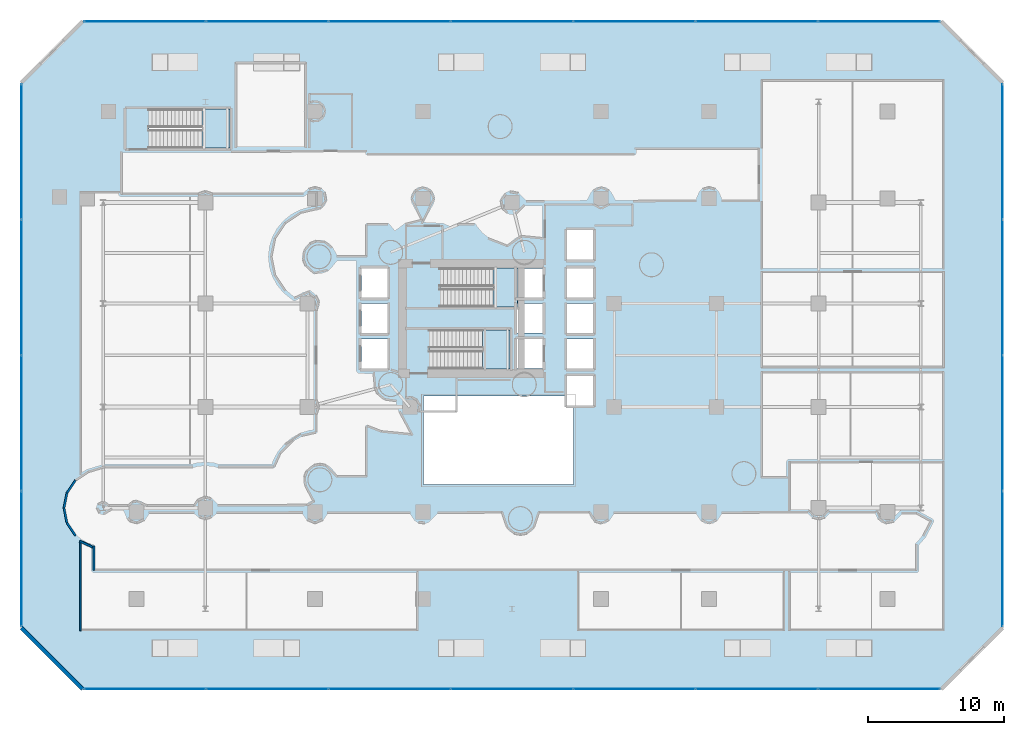
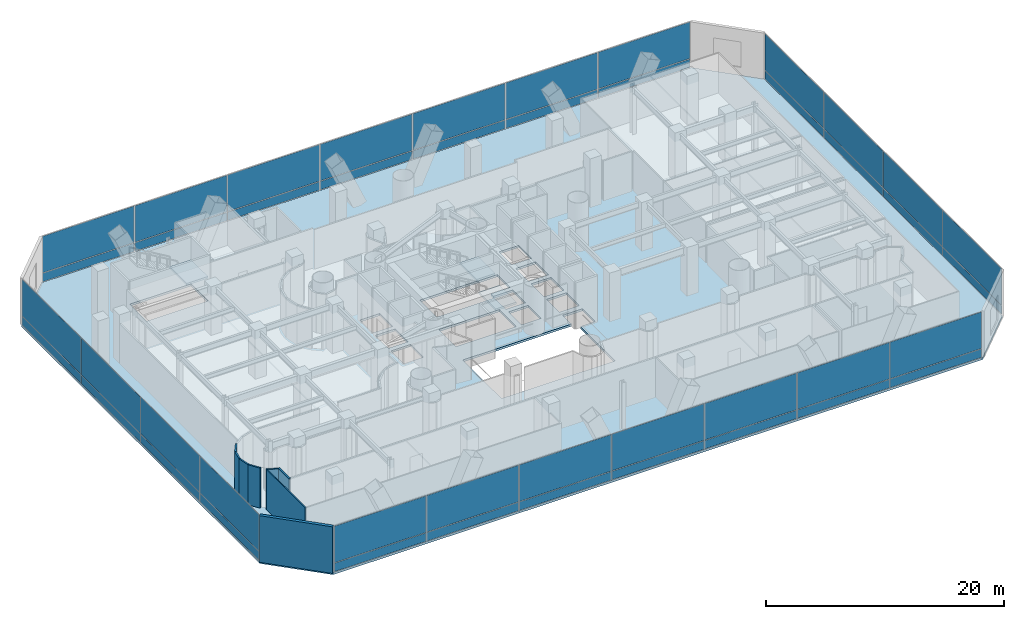
# One storey, part 30 of 42: 44 plates, 8 walls, 4 slabs, 7 elements without a shape of their own.
"""IFC4 building model written with IfcOpenShell, lengths in metres."""

from ifc_helpers import new_model, si_unit, direction, frame, frame_2d, origin, origin_2d, place, context, subcontext, project, spatial, polyline, rectangle, outline, extrude, material, layer, layer_set, type_object, element, aggregate, save


model = new_model("IFC4")

# Units and contexts
model_context = context("Model", 3, precision=1e-05, world=origin(), true_north=direction((0.0, 1.0)))
body_context = subcontext(model_context, "Body", "Model", "MODEL_VIEW")
ifc_project = project(units=[si_unit("LENGTHUNIT", "METRE"), si_unit("AREAUNIT", "SQUARE_METRE"), si_unit("VOLUMEUNIT", "CUBIC_METRE"), si_unit("PLANEANGLEUNIT", "RADIAN"), si_unit("MASSUNIT", "GRAM", prefix="KILO")], contexts=[model_context])

# Site, building, storey
site_placement = place(None, origin())
site = spatial("IfcSite", under=ifc_project, at=site_placement, CompositionType="ELEMENT")
building_placement = place(site_placement, origin())
building = spatial("IfcBuilding", under=site, at=building_placement, Name="Qianvela Tower", CompositionType="ELEMENT")
storey_placement = place(building_placement, frame((0.0, 0.0, 6.0)))
storey = spatial("IfcBuildingStorey", under=building, at=storey_placement, Name="L01", CompositionType="ELEMENT", Elevation=6.0)

# Curtain wall, plates
ifc_material_1 = material(Name="Anodised Architectural Aluminium and Low-E Glass", Category="aluminium")
ifc_layer_1 = layer(ifc_material_1, 0.179931640625)
ifc_layer_set_1 = layer_set([ifc_layer_1], Name="Anodised Architectural Aluminium and Low-E Glass")
curtain_wall_type = type_object("IfcCurtainWallType", Name="CW-COMMONS", PredefinedType="USERDEFINED", material=ifc_layer_set_1)
curtain_wall_1_placement = place(storey_placement, origin())
curtain_wall_1 = element("IfcCurtainWall", 1, at=curtain_wall_1_placement, inside=storey, type_object=curtain_wall_type, Name="L01 CW-COMMONS Curtain Wall 01", ObjectType="CURTAIN_WALL_SYSTEM", PredefinedType="USERDEFINED")
ifc_material_2 = material(Name="Double-Silver Low-E Insulated Glass", Category="glass")
ifc_layer_2 = layer(ifc_material_2, 0.031982421875)
ifc_layer_set_2 = layer_set([ifc_layer_2], Name="Double-Silver Low-E Insulated Glass")
plate_type = type_object("IfcPlateType", Name="CW-COMMONS-PNL", PredefinedType="CURTAIN_PANEL", material=ifc_layer_set_2)
plate_1_placement = place(storey_placement, frame((10.560302734375, 1.5, 0.06005859375), z_axis=(0.0, 0.0, 1.0), x_axis=(1.0, 0.0, 0.0)))
plate_1 = element("IfcPlate", 2, at=plate_1_placement, type_object=plate_type, Name="CW-2 panel 1.1", PredefinedType="CURTAIN_PANEL", context=body_context, shape_type="SweptSolid", body=[
    extrude(rectangle(XDim=8.880615234375, YDim=0.031982421875, at=origin_2d()), origin(), (0.0, 0.0, 1.0), 0.860107421875),
])
plate_2_placement = place(storey_placement, frame((10.560302734375, 1.5, 0.97998046875), z_axis=(0.0, 0.0, 1.0), x_axis=(1.0, 0.0, 0.0)))
plate_2 = element("IfcPlate", 3, at=plate_2_placement, type_object=plate_type, Name="CW-2 panel 1.2", PredefinedType="CURTAIN_PANEL", context=body_context, shape_type="SweptSolid", body=[
    extrude(rectangle(XDim=8.880615234375, YDim=0.031982421875, at=origin_2d()), origin(), (0.0, 0.0, 1.0), 3.739990234375),
])
plate_3_placement = place(storey_placement, frame((19.528564453125, 1.5, 0.06005859375), z_axis=(0.0, 0.0, 1.0), x_axis=(1.0, 0.0, 0.0)))
plate_3 = element("IfcPlate", 4, at=plate_3_placement, type_object=plate_type, Name="CW-2 panel 2.1", PredefinedType="CURTAIN_PANEL", context=body_context, shape_type="SweptSolid", body=[
    extrude(rectangle(XDim=8.915771484375, YDim=0.031982421875, at=origin_2d()), origin(), (0.0, 0.0, 1.0), 0.860107421875),
])
plate_4_placement = place(storey_placement, frame((19.528564453125, 1.5, 0.97998046875), z_axis=(0.0, 0.0, 1.0), x_axis=(1.0, 0.0, 0.0)))
plate_4 = element("IfcPlate", 5, at=plate_4_placement, type_object=plate_type, Name="CW-2 panel 2.2", PredefinedType="CURTAIN_PANEL", context=body_context, shape_type="SweptSolid", body=[
    extrude(rectangle(XDim=8.915771484375, YDim=0.031982421875, at=origin_2d()), origin(), (0.0, 0.0, 1.0), 3.739990234375),
])
plate_5_placement = place(storey_placement, frame((28.514404296875, 1.5, 0.06005859375), z_axis=(0.0, 0.0, 1.0), x_axis=(1.0, 0.0, 0.0)))
plate_5 = element("IfcPlate", 6, at=plate_5_placement, type_object=plate_type, Name="CW-2 panel 3.1", PredefinedType="CURTAIN_PANEL", context=body_context, shape_type="SweptSolid", body=[
    extrude(rectangle(XDim=8.915771484375, YDim=0.031982421875, at=origin_2d()), origin(), (0.0, 0.0, 1.0), 0.860107421875),
])
plate_6_placement = place(storey_placement, frame((28.514404296875, 1.5, 0.97998046875), z_axis=(0.0, 0.0, 1.0), x_axis=(1.0, 0.0, 0.0)))
plate_6 = element("IfcPlate", 7, at=plate_6_placement, type_object=plate_type, Name="CW-2 panel 3.2", PredefinedType="CURTAIN_PANEL", context=body_context, shape_type="SweptSolid", body=[
    extrude(rectangle(XDim=8.915771484375, YDim=0.031982421875, at=origin_2d()), origin(), (0.0, 0.0, 1.0), 3.739990234375),
])
plate_7_placement = place(storey_placement, frame((37.5, 1.5, 0.06005859375), z_axis=(0.0, 0.0, 1.0), x_axis=(1.0, 0.0, 0.0)))
plate_7 = element("IfcPlate", 8, at=plate_7_placement, type_object=plate_type, Name="CW-2 panel 4.1", PredefinedType="CURTAIN_PANEL", context=body_context, shape_type="SweptSolid", body=[
    extrude(rectangle(XDim=8.915771484375, YDim=0.031982421875, at=origin_2d()), origin(), (0.0, 0.0, 1.0), 0.860107421875),
])
plate_8_placement = place(storey_placement, frame((37.5, 1.5, 0.97998046875), z_axis=(0.0, 0.0, 1.0), x_axis=(1.0, 0.0, 0.0)))
plate_8 = element("IfcPlate", 9, at=plate_8_placement, type_object=plate_type, Name="CW-2 panel 4.2", PredefinedType="CURTAIN_PANEL", context=body_context, shape_type="SweptSolid", body=[
    extrude(rectangle(XDim=8.915771484375, YDim=0.031982421875, at=origin_2d()), origin(), (0.0, 0.0, 1.0), 3.739990234375),
])
plate_9_placement = place(storey_placement, frame((46.485595703125, 1.5, 0.06005859375), z_axis=(0.0, 0.0, 1.0), x_axis=(1.0, 0.0, 0.0)))
plate_9 = element("IfcPlate", 10, at=plate_9_placement, type_object=plate_type, Name="CW-2 panel 5.1", PredefinedType="CURTAIN_PANEL", context=body_context, shape_type="SweptSolid", body=[
    extrude(rectangle(XDim=8.915771484375, YDim=0.031982421875, at=origin_2d()), origin(), (0.0, 0.0, 1.0), 0.860107421875),
])
plate_10_placement = place(storey_placement, frame((46.485595703125, 1.5, 0.97998046875), z_axis=(0.0, 0.0, 1.0), x_axis=(1.0, 0.0, 0.0)))
plate_10 = element("IfcPlate", 11, at=plate_10_placement, type_object=plate_type, Name="CW-2 panel 5.2", PredefinedType="CURTAIN_PANEL", context=body_context, shape_type="SweptSolid", body=[
    extrude(rectangle(XDim=8.915771484375, YDim=0.031982421875, at=origin_2d()), origin(), (0.0, 0.0, 1.0), 3.739990234375),
])
plate_11_placement = place(storey_placement, frame((55.471435546875, 1.5, 0.06005859375), z_axis=(0.0, 0.0, 1.0), x_axis=(1.0, 0.0, 0.0)))
plate_11 = element("IfcPlate", 12, at=plate_11_placement, type_object=plate_type, Name="CW-2 panel 6.1", PredefinedType="CURTAIN_PANEL", context=body_context, shape_type="SweptSolid", body=[
    extrude(rectangle(XDim=8.915771484375, YDim=0.031982421875, at=origin_2d()), origin(), (0.0, 0.0, 1.0), 0.860107421875),
])
plate_12_placement = place(storey_placement, frame((55.471435546875, 1.5, 0.97998046875), z_axis=(0.0, 0.0, 1.0), x_axis=(1.0, 0.0, 0.0)))
plate_12 = element("IfcPlate", 13, at=plate_12_placement, type_object=plate_type, Name="CW-2 panel 6.2", PredefinedType="CURTAIN_PANEL", context=body_context, shape_type="SweptSolid", body=[
    extrude(rectangle(XDim=8.915771484375, YDim=0.031982421875, at=origin_2d()), origin(), (0.0, 0.0, 1.0), 3.739990234375),
])
plate_13_placement = place(storey_placement, frame((64.439697265625, 1.5, 0.06005859375), z_axis=(0.0, 0.0, 1.0), x_axis=(1.0, 0.0, 0.0)))
plate_13 = element("IfcPlate", 14, at=plate_13_placement, type_object=plate_type, Name="CW-2 panel 7.1", PredefinedType="CURTAIN_PANEL", context=body_context, shape_type="SweptSolid", body=[
    extrude(rectangle(XDim=8.880615234375, YDim=0.031982421875, at=origin_2d()), origin(), (0.0, 0.0, 1.0), 0.860107421875),
])
plate_14_placement = place(storey_placement, frame((64.439697265625, 1.5, 0.97998046875), z_axis=(0.0, 0.0, 1.0), x_axis=(1.0, 0.0, 0.0)))
plate_14 = element("IfcPlate", 15, at=plate_14_placement, type_object=plate_type, Name="CW-2 panel 7.2", PredefinedType="CURTAIN_PANEL", context=body_context, shape_type="SweptSolid", body=[
    extrude(rectangle(XDim=8.880615234375, YDim=0.031982421875, at=origin_2d()), origin(), (0.0, 0.0, 1.0), 3.739990234375),
])
aggregate(curtain_wall_1, [plate_1, plate_2, plate_3, plate_4, plate_5, plate_6, plate_7, plate_8, plate_9, plate_10, plate_11, plate_12, plate_13, plate_14])

curtain_wall_2_placement = place(storey_placement, origin())
curtain_wall_2 = element("IfcCurtainWall", 16, at=curtain_wall_2_placement, inside=storey, type_object=curtain_wall_type, Name="L01 CW-COMMONS Curtain Wall 03", ObjectType="CURTAIN_WALL_SYSTEM", PredefinedType="USERDEFINED")
plate_15_placement = place(storey_placement, frame((73.5, 11.054931640625, 0.06005859375), z_axis=(0.0, 0.0, 1.0), x_axis=(0.0, 1.0, 0.0)))
plate_15 = element("IfcPlate", 17, at=plate_15_placement, type_object=plate_type, Name="CW-2 panel 1.1", PredefinedType="CURTAIN_PANEL", context=body_context, shape_type="SweptSolid", body=[
    extrude(rectangle(XDim=9.8701171875, YDim=0.031982421875, at=origin_2d()), origin(), (0.0, 0.0, 1.0), 0.860107421875),
])
plate_16_placement = place(storey_placement, frame((73.5, 11.054931640625, 0.97998046875), z_axis=(0.0, 0.0, 1.0), x_axis=(0.0, 1.0, 0.0)))
plate_16 = element("IfcPlate", 18, at=plate_16_placement, type_object=plate_type, Name="CW-2 panel 1.2", PredefinedType="CURTAIN_PANEL", context=body_context, shape_type="SweptSolid", body=[
    extrude(rectangle(XDim=9.8701171875, YDim=0.031982421875, at=origin_2d()), origin(), (0.0, 0.0, 1.0), 3.739990234375),
])
plate_17_placement = place(storey_placement, frame((73.5, 21.012451171875, 0.06005859375), z_axis=(0.0, 0.0, 1.0), x_axis=(0.0, 1.0, 0.0)))
plate_17 = element("IfcPlate", 19, at=plate_17_placement, type_object=plate_type, Name="CW-2 panel 2.1", PredefinedType="CURTAIN_PANEL", context=body_context, shape_type="SweptSolid", body=[
    extrude(rectangle(XDim=9.905029296875, YDim=0.031982421875, at=origin_2d()), origin(), (0.0, 0.0, 1.0), 0.860107421875),
])
plate_18_placement = place(storey_placement, frame((73.5, 21.012451171875, 0.97998046875), z_axis=(0.0, 0.0, 1.0), x_axis=(0.0, 1.0, 0.0)))
plate_18 = element("IfcPlate", 20, at=plate_18_placement, type_object=plate_type, Name="CW-2 panel 2.2", PredefinedType="CURTAIN_PANEL", context=body_context, shape_type="SweptSolid", body=[
    extrude(rectangle(XDim=9.905029296875, YDim=0.031982421875, at=origin_2d()), origin(), (0.0, 0.0, 1.0), 3.739990234375),
])
plate_19_placement = place(storey_placement, frame((73.5, 30.987548828125, 0.06005859375), z_axis=(0.0, 0.0, 1.0), x_axis=(0.0, 1.0, 0.0)))
plate_19 = element("IfcPlate", 21, at=plate_19_placement, type_object=plate_type, Name="CW-2 panel 3.1", PredefinedType="CURTAIN_PANEL", context=body_context, shape_type="SweptSolid", body=[
    extrude(rectangle(XDim=9.905029296875, YDim=0.031982421875, at=origin_2d()), origin(), (0.0, 0.0, 1.0), 0.860107421875),
])
plate_20_placement = place(storey_placement, frame((73.5, 30.987548828125, 0.97998046875), z_axis=(0.0, 0.0, 1.0), x_axis=(0.0, 1.0, 0.0)))
plate_20 = element("IfcPlate", 22, at=plate_20_placement, type_object=plate_type, Name="CW-2 panel 3.2", PredefinedType="CURTAIN_PANEL", context=body_context, shape_type="SweptSolid", body=[
    extrude(rectangle(XDim=9.905029296875, YDim=0.031982421875, at=origin_2d()), origin(), (0.0, 0.0, 1.0), 3.739990234375),
])
plate_21_placement = place(storey_placement, frame((73.5, 40.945068359375, 0.06005859375), z_axis=(0.0, 0.0, 1.0), x_axis=(0.0, 1.0, 0.0)))
plate_21 = element("IfcPlate", 23, at=plate_21_placement, type_object=plate_type, Name="CW-2 panel 4.1", PredefinedType="CURTAIN_PANEL", context=body_context, shape_type="SweptSolid", body=[
    extrude(rectangle(XDim=9.8701171875, YDim=0.031982421875, at=origin_2d()), origin(), (0.0, 0.0, 1.0), 0.860107421875),
])
plate_22_placement = place(storey_placement, frame((73.5, 40.945068359375, 0.97998046875), z_axis=(0.0, 0.0, 1.0), x_axis=(0.0, 1.0, 0.0)))
plate_22 = element("IfcPlate", 24, at=plate_22_placement, type_object=plate_type, Name="CW-2 panel 4.2", PredefinedType="CURTAIN_PANEL", context=body_context, shape_type="SweptSolid", body=[
    extrude(rectangle(XDim=9.8701171875, YDim=0.031982421875, at=origin_2d()), origin(), (0.0, 0.0, 1.0), 3.739990234375),
])
aggregate(curtain_wall_2, [plate_15, plate_16, plate_17, plate_18, plate_19, plate_20, plate_21, plate_22])

curtain_wall_3_placement = place(storey_placement, origin())
curtain_wall_3 = element("IfcCurtainWall", 25, at=curtain_wall_3_placement, inside=storey, type_object=curtain_wall_type, Name="L01 CW-COMMONS Curtain Wall 05", ObjectType="CURTAIN_WALL_SYSTEM", PredefinedType="USERDEFINED")
plate_23_placement = place(storey_placement, frame((64.439697265625, 50.5, 0.06005859375), z_axis=(0.0, 0.0, 1.0), x_axis=(-1.0, 0.0, 0.0)))
plate_23 = element("IfcPlate", 26, at=plate_23_placement, type_object=plate_type, Name="CW-2 panel 1.1", PredefinedType="CURTAIN_PANEL", context=body_context, shape_type="SweptSolid", body=[
    extrude(rectangle(XDim=8.880615234375, YDim=0.031982421875, at=origin_2d()), origin(), (0.0, 0.0, 1.0), 0.860107421875),
])
plate_24_placement = place(storey_placement, frame((64.439697265625, 50.5, 0.97998046875), z_axis=(0.0, 0.0, 1.0), x_axis=(-1.0, 0.0, 0.0)))
plate_24 = element("IfcPlate", 27, at=plate_24_placement, type_object=plate_type, Name="CW-2 panel 1.2", PredefinedType="CURTAIN_PANEL", context=body_context, shape_type="SweptSolid", body=[
    extrude(rectangle(XDim=8.880615234375, YDim=0.031982421875, at=origin_2d()), origin(), (0.0, 0.0, 1.0), 3.739990234375),
])
plate_25_placement = place(storey_placement, frame((55.471435546875, 50.5, 0.06005859375), z_axis=(0.0, 0.0, 1.0), x_axis=(-1.0, 0.0, 0.0)))
plate_25 = element("IfcPlate", 28, at=plate_25_placement, type_object=plate_type, Name="CW-2 panel 2.1", PredefinedType="CURTAIN_PANEL", context=body_context, shape_type="SweptSolid", body=[
    extrude(rectangle(XDim=8.915771484375, YDim=0.031982421875, at=origin_2d()), origin(), (0.0, 0.0, 1.0), 0.860107421875),
])
plate_26_placement = place(storey_placement, frame((55.471435546875, 50.5, 0.97998046875), z_axis=(0.0, 0.0, 1.0), x_axis=(-1.0, 0.0, 0.0)))
plate_26 = element("IfcPlate", 29, at=plate_26_placement, type_object=plate_type, Name="CW-2 panel 2.2", PredefinedType="CURTAIN_PANEL", context=body_context, shape_type="SweptSolid", body=[
    extrude(rectangle(XDim=8.915771484375, YDim=0.031982421875, at=origin_2d()), origin(), (0.0, 0.0, 1.0), 3.739990234375),
])
plate_27_placement = place(storey_placement, frame((46.485595703125, 50.5, 0.06005859375), z_axis=(0.0, 0.0, 1.0), x_axis=(-1.0, 0.0, 0.0)))
plate_27 = element("IfcPlate", 30, at=plate_27_placement, type_object=plate_type, Name="CW-2 panel 3.1", PredefinedType="CURTAIN_PANEL", context=body_context, shape_type="SweptSolid", body=[
    extrude(rectangle(XDim=8.915771484375, YDim=0.031982421875, at=origin_2d()), origin(), (0.0, 0.0, 1.0), 0.860107421875),
])
plate_28_placement = place(storey_placement, frame((46.485595703125, 50.5, 0.97998046875), z_axis=(0.0, 0.0, 1.0), x_axis=(-1.0, 0.0, 0.0)))
plate_28 = element("IfcPlate", 31, at=plate_28_placement, type_object=plate_type, Name="CW-2 panel 3.2", PredefinedType="CURTAIN_PANEL", context=body_context, shape_type="SweptSolid", body=[
    extrude(rectangle(XDim=8.915771484375, YDim=0.031982421875, at=origin_2d()), origin(), (0.0, 0.0, 1.0), 3.739990234375),
])
plate_29_placement = place(storey_placement, frame((37.5, 50.5, 0.06005859375), z_axis=(0.0, 0.0, 1.0), x_axis=(-1.0, 0.0, 0.0)))
plate_29 = element("IfcPlate", 32, at=plate_29_placement, type_object=plate_type, Name="CW-2 panel 4.1", PredefinedType="CURTAIN_PANEL", context=body_context, shape_type="SweptSolid", body=[
    extrude(rectangle(XDim=8.915771484375, YDim=0.031982421875, at=origin_2d()), origin(), (0.0, 0.0, 1.0), 0.860107421875),
])
plate_30_placement = place(storey_placement, frame((37.5, 50.5, 0.97998046875), z_axis=(0.0, 0.0, 1.0), x_axis=(-1.0, 0.0, 0.0)))
plate_30 = element("IfcPlate", 33, at=plate_30_placement, type_object=plate_type, Name="CW-2 panel 4.2", PredefinedType="CURTAIN_PANEL", context=body_context, shape_type="SweptSolid", body=[
    extrude(rectangle(XDim=8.915771484375, YDim=0.031982421875, at=origin_2d()), origin(), (0.0, 0.0, 1.0), 3.739990234375),
])
plate_31_placement = place(storey_placement, frame((28.514404296875, 50.5, 0.06005859375), z_axis=(0.0, 0.0, 1.0), x_axis=(-1.0, 0.0, 0.0)))
plate_31 = element("IfcPlate", 34, at=plate_31_placement, type_object=plate_type, Name="CW-2 panel 5.1", PredefinedType="CURTAIN_PANEL", context=body_context, shape_type="SweptSolid", body=[
    extrude(rectangle(XDim=8.915771484375, YDim=0.031982421875, at=origin_2d()), origin(), (0.0, 0.0, 1.0), 0.860107421875),
])
plate_32_placement = place(storey_placement, frame((28.514404296875, 50.5, 0.97998046875), z_axis=(0.0, 0.0, 1.0), x_axis=(-1.0, 0.0, 0.0)))
plate_32 = element("IfcPlate", 35, at=plate_32_placement, type_object=plate_type, Name="CW-2 panel 5.2", PredefinedType="CURTAIN_PANEL", context=body_context, shape_type="SweptSolid", body=[
    extrude(rectangle(XDim=8.915771484375, YDim=0.031982421875, at=origin_2d()), origin(), (0.0, 0.0, 1.0), 3.739990234375),
])
plate_33_placement = place(storey_placement, frame((19.528564453125, 50.5, 0.06005859375), z_axis=(0.0, 0.0, 1.0), x_axis=(-1.0, 0.0, 0.0)))
plate_33 = element("IfcPlate", 36, at=plate_33_placement, type_object=plate_type, Name="CW-2 panel 6.1", PredefinedType="CURTAIN_PANEL", context=body_context, shape_type="SweptSolid", body=[
    extrude(rectangle(XDim=8.915771484375, YDim=0.031982421875, at=origin_2d()), origin(), (0.0, 0.0, 1.0), 0.860107421875),
])
plate_34_placement = place(storey_placement, frame((19.528564453125, 50.5, 0.97998046875), z_axis=(0.0, 0.0, 1.0), x_axis=(-1.0, 0.0, 0.0)))
plate_34 = element("IfcPlate", 37, at=plate_34_placement, type_object=plate_type, Name="CW-2 panel 6.2", PredefinedType="CURTAIN_PANEL", context=body_context, shape_type="SweptSolid", body=[
    extrude(rectangle(XDim=8.915771484375, YDim=0.031982421875, at=origin_2d()), origin(), (0.0, 0.0, 1.0), 3.739990234375),
])
plate_35_placement = place(storey_placement, frame((10.560302734375, 50.5, 0.06005859375), z_axis=(0.0, 0.0, 1.0), x_axis=(-1.0, 0.0, 0.0)))
plate_35 = element("IfcPlate", 38, at=plate_35_placement, type_object=plate_type, Name="CW-2 panel 7.1", PredefinedType="CURTAIN_PANEL", context=body_context, shape_type="SweptSolid", body=[
    extrude(rectangle(XDim=8.880615234375, YDim=0.031982421875, at=origin_2d()), origin(), (0.0, 0.0, 1.0), 0.860107421875),
])
plate_36_placement = place(storey_placement, frame((10.560302734375, 50.5, 0.97998046875), z_axis=(0.0, 0.0, 1.0), x_axis=(-1.0, 0.0, 0.0)))
plate_36 = element("IfcPlate", 39, at=plate_36_placement, type_object=plate_type, Name="CW-2 panel 7.2", PredefinedType="CURTAIN_PANEL", context=body_context, shape_type="SweptSolid", body=[
    extrude(rectangle(XDim=8.880615234375, YDim=0.031982421875, at=origin_2d()), origin(), (0.0, 0.0, 1.0), 3.739990234375),
])
aggregate(curtain_wall_3, [plate_23, plate_24, plate_25, plate_26, plate_27, plate_28, plate_29, plate_30, plate_31, plate_32, plate_33, plate_34, plate_35, plate_36])

curtain_wall_4_placement = place(storey_placement, origin())
curtain_wall_4 = element("IfcCurtainWall", 40, at=curtain_wall_4_placement, inside=storey, type_object=curtain_wall_type, Name="L01 CW-COMMONS Curtain Wall 07", ObjectType="CURTAIN_WALL_SYSTEM", PredefinedType="USERDEFINED")
plate_37_placement = place(storey_placement, frame((1.5, 40.945068359375, 0.06005859375), z_axis=(0.0, 0.0, 1.0), x_axis=(0.0, -1.0, 0.0)))
plate_37 = element("IfcPlate", 41, at=plate_37_placement, type_object=plate_type, Name="CW-2 panel 1.1", PredefinedType="CURTAIN_PANEL", context=body_context, shape_type="SweptSolid", body=[
    extrude(rectangle(XDim=9.8701171875, YDim=0.031982421875, at=origin_2d()), origin(), (0.0, 0.0, 1.0), 0.860107421875),
])
plate_38_placement = place(storey_placement, frame((1.5, 40.945068359375, 0.97998046875), z_axis=(0.0, 0.0, 1.0), x_axis=(0.0, -1.0, 0.0)))
plate_38 = element("IfcPlate", 42, at=plate_38_placement, type_object=plate_type, Name="CW-2 panel 1.2", PredefinedType="CURTAIN_PANEL", context=body_context, shape_type="SweptSolid", body=[
    extrude(rectangle(XDim=9.8701171875, YDim=0.031982421875, at=origin_2d()), origin(), (0.0, 0.0, 1.0), 3.739990234375),
])
plate_39_placement = place(storey_placement, frame((1.5, 30.987548828125, 0.06005859375), z_axis=(0.0, 0.0, 1.0), x_axis=(0.0, -1.0, 0.0)))
plate_39 = element("IfcPlate", 43, at=plate_39_placement, type_object=plate_type, Name="CW-2 panel 2.1", PredefinedType="CURTAIN_PANEL", context=body_context, shape_type="SweptSolid", body=[
    extrude(rectangle(XDim=9.905029296875, YDim=0.031982421875, at=origin_2d()), origin(), (0.0, 0.0, 1.0), 0.860107421875),
])
plate_40_placement = place(storey_placement, frame((1.5, 30.987548828125, 0.97998046875), z_axis=(0.0, 0.0, 1.0), x_axis=(0.0, -1.0, 0.0)))
plate_40 = element("IfcPlate", 44, at=plate_40_placement, type_object=plate_type, Name="CW-2 panel 2.2", PredefinedType="CURTAIN_PANEL", context=body_context, shape_type="SweptSolid", body=[
    extrude(rectangle(XDim=9.905029296875, YDim=0.031982421875, at=origin_2d()), origin(), (0.0, 0.0, 1.0), 3.739990234375),
])
plate_41_placement = place(storey_placement, frame((1.5, 21.012451171875, 0.06005859375), z_axis=(0.0, 0.0, 1.0), x_axis=(0.0, -1.0, 0.0)))
plate_41 = element("IfcPlate", 45, at=plate_41_placement, type_object=plate_type, Name="CW-2 panel 3.1", PredefinedType="CURTAIN_PANEL", context=body_context, shape_type="SweptSolid", body=[
    extrude(rectangle(XDim=9.905029296875, YDim=0.031982421875, at=origin_2d()), origin(), (0.0, 0.0, 1.0), 0.860107421875),
])
plate_42_placement = place(storey_placement, frame((1.5, 21.012451171875, 0.97998046875), z_axis=(0.0, 0.0, 1.0), x_axis=(0.0, -1.0, 0.0)))
plate_42 = element("IfcPlate", 46, at=plate_42_placement, type_object=plate_type, Name="CW-2 panel 3.2", PredefinedType="CURTAIN_PANEL", context=body_context, shape_type="SweptSolid", body=[
    extrude(rectangle(XDim=9.905029296875, YDim=0.031982421875, at=origin_2d()), origin(), (0.0, 0.0, 1.0), 3.739990234375),
])
plate_43_placement = place(storey_placement, frame((1.5, 11.054931640625, 0.06005859375), z_axis=(0.0, 0.0, 1.0), x_axis=(0.0, -1.0, 0.0)))
plate_43 = element("IfcPlate", 47, at=plate_43_placement, type_object=plate_type, Name="CW-2 panel 4.1", PredefinedType="CURTAIN_PANEL", context=body_context, shape_type="SweptSolid", body=[
    extrude(rectangle(XDim=9.8701171875, YDim=0.031982421875, at=origin_2d()), origin(), (0.0, 0.0, 1.0), 0.860107421875),
])
plate_44_placement = place(storey_placement, frame((1.5, 11.054931640625, 0.97998046875), z_axis=(0.0, 0.0, 1.0), x_axis=(0.0, -1.0, 0.0)))
plate_44 = element("IfcPlate", 48, at=plate_44_placement, type_object=plate_type, Name="CW-2 panel 4.2", PredefinedType="CURTAIN_PANEL", context=body_context, shape_type="SweptSolid", body=[
    extrude(rectangle(XDim=9.8701171875, YDim=0.031982421875, at=origin_2d()), origin(), (0.0, 0.0, 1.0), 3.739990234375),
])
aggregate(curtain_wall_4, [plate_37, plate_38, plate_39, plate_40, plate_41, plate_42, plate_43, plate_44])

# Slab
ifc_material_3 = material(Name="Concrete C40", Category="concrete")
ifc_layer_3 = layer(ifc_material_3, 0.219970703125)
ifc_layer_set_3 = layer_set([ifc_layer_3], Name="Concrete C40")
slab_type_1 = type_object("IfcSlabType", Name="SL-POD-220", PredefinedType="FLOOR", material=ifc_layer_set_3)
slab_1_placement = place(storey_placement, frame((0.0, 0.0, -0.219970703125)))
element("IfcSlab", 49, at=slab_1_placement, inside=storey, type_object=slab_type_1, Name="L01 Composite Structural Floor Slab", PredefinedType="FLOOR", context=body_context, shape_type="SweptSolid", body=[
    extrude(outline(polyline([(6.0, 1.5), (69.0, 1.5), (73.5, 6.0), (73.5, 46.0), (69.0, 50.5), (6.0, 50.5), (1.5, 46.0), (1.5, 6.0), (6.0, 1.5)]), holes=[polyline([(42.0, 22.320068359375), (43.4599609375, 22.320068359375), (43.4599609375, 24.47998046875), (41.5400390625, 24.47998046875), (41.5400390625, 23.0), (31.0, 23.0), (31.0, 16.5), (42.0, 16.5), (42.0, 22.320068359375)]), polyline([(28.360107421875, 25.02001953125), (28.360107421875, 27.179931640625), (26.43994140625, 27.179931640625), (26.43994140625, 25.02001953125), (28.360107421875, 25.02001953125)]), polyline([(37.35009765625, 25.0), (37.35009765625, 27.860107421875), (31.469970703125, 27.860107421875), (31.469970703125, 25.0), (37.35009765625, 25.0)]), polyline([(28.360107421875, 27.6201171875), (28.360107421875, 29.780029296875), (26.43994140625, 29.780029296875), (26.43994140625, 27.6201171875), (28.360107421875, 27.6201171875)]), polyline([(37.89990234375, 32.3798828125), (37.89990234375, 32.39990234375), (32.25, 32.39990234375), (32.25, 29.5400390625), (37.840087890625, 29.5400390625), (37.840087890625, 27.6201171875), (39.760009765625, 27.6201171875), (39.760009765625, 29.780029296875), (37.89990234375, 29.780029296875), (37.89990234375, 30.219970703125), (39.760009765625, 30.219970703125), (39.760009765625, 32.3798828125), (37.89990234375, 32.3798828125)]), polyline([(28.360107421875, 30.219970703125), (28.360107421875, 32.3798828125), (26.43994140625, 32.3798828125), (26.43994140625, 30.219970703125), (28.360107421875, 30.219970703125)]), polyline([(16.800048828125, 41.199951171875), (16.800048828125, 44.06005859375), (10.8701171875, 44.06005859375), (10.8701171875, 41.199951171875), (16.800048828125, 41.199951171875)]), polyline([(39.760009765625, 25.02001953125), (39.760009765625, 27.179931640625), (37.840087890625, 27.179931640625), (37.840087890625, 25.02001953125), (39.760009765625, 25.02001953125)]), polyline([(43.4599609375, 25.02001953125), (43.4599609375, 27.179931640625), (41.5400390625, 27.179931640625), (41.5400390625, 25.02001953125), (43.4599609375, 25.02001953125)]), polyline([(43.4599609375, 27.6201171875), (43.4599609375, 29.780029296875), (41.5400390625, 29.780029296875), (41.5400390625, 27.6201171875), (43.4599609375, 27.6201171875)]), polyline([(43.4599609375, 30.219970703125), (43.4599609375, 32.3798828125), (41.5400390625, 32.3798828125), (41.5400390625, 30.219970703125), (43.4599609375, 30.219970703125)]), polyline([(43.4599609375, 33.02001953125), (43.4599609375, 35.179931640625), (41.5400390625, 35.179931640625), (41.5400390625, 33.02001953125), (43.4599609375, 33.02001953125)])]), origin(), (0.0, 0.0, 1.0), 0.219970703125),
])

# Stair, slab
ifc_material_4 = material(Name="Concrete C40", Category="concrete")
stair_type = type_object("IfcStairType", Name="ST-DOGLEG-1350-R167-N30", PredefinedType="HALF_TURN_STAIR", material=ifc_material_4)
stair_1_placement = place(storey_placement, origin())
stair_1 = element("IfcStair", 50, at=stair_1_placement, inside=storey, type_object=stair_type, Name="L01 Smoke-Proof Core Stair ST-1", PredefinedType="HALF_TURN_STAIR")
ifc_material_5 = material(Name="Concrete C40", Category="concrete")
ifc_layer_4 = layer(ifc_material_5, 0.199951171875)
ifc_layer_set_4 = layer_set([ifc_layer_4], Name="Concrete C40")
slab_type_2 = type_object("IfcSlabType", Name="SL-STAIR-LANDING-200", PredefinedType="LANDING", material=ifc_layer_set_4)
slab_2_placement = place(storey_placement, frame((0.0, 0.0, 2.300048828125)))
slab_2 = element("IfcSlab", 51, at=slab_2_placement, type_object=slab_type_2, Name="ST-1 landing 1", PredefinedType="LANDING", context=body_context, shape_type="SweptSolid", body=[
    extrude(outline(polyline([(36.1201171875, 29.5400390625), (37.89990234375, 29.5400390625), (37.89990234375, 32.39990234375), (36.1201171875, 32.39990234375), (36.1201171875, 29.5400390625)])), origin(), (0.0, 0.0, 1.0), 0.199951171875),
])
aggregate(stair_1, [slab_2])

stair_2_placement = place(storey_placement, origin())
stair_2 = element("IfcStair", 52, at=stair_2_placement, inside=storey, type_object=stair_type, Name="L01 Smoke-Proof Core Stair ST-2", PredefinedType="HALF_TURN_STAIR")
slab_3_placement = place(storey_placement, frame((0.0, 0.0, 2.300048828125)))
slab_3 = element("IfcSlab", 53, at=slab_3_placement, type_object=slab_type_2, Name="ST-2 landing 1", PredefinedType="LANDING", context=body_context, shape_type="SweptSolid", body=[
    extrude(outline(polyline([(35.340087890625, 25.0), (37.35009765625, 25.0), (37.35009765625, 27.860107421875), (35.340087890625, 27.860107421875), (35.340087890625, 25.0)])), origin(), (0.0, 0.0, 1.0), 0.199951171875),
])
aggregate(stair_2, [slab_3])

stair_3_placement = place(storey_placement, origin())
stair_3 = element("IfcStair", 54, at=stair_3_placement, inside=storey, type_object=stair_type, Name="L01 Smoke-Proof Core Stair ST-3", PredefinedType="HALF_TURN_STAIR")
slab_4_placement = place(storey_placement, frame((0.0, 0.0, 2.300048828125)))
slab_4 = element("IfcSlab", 55, at=slab_4_placement, type_object=slab_type_2, Name="ST-3 landing 1", PredefinedType="LANDING", context=body_context, shape_type="SweptSolid", body=[
    extrude(outline(polyline([(14.739990234375, 41.199951171875), (16.800048828125, 41.199951171875), (16.800048828125, 44.06005859375), (14.739990234375, 44.06005859375), (14.739990234375, 41.199951171875)])), origin(), (0.0, 0.0, 1.0), 0.199951171875),
])
aggregate(stair_3, [slab_4])

# Walls
ifc_material_6 = material(Name="Terracotta Cladding on Concrete C40", Category="masonry")
ifc_layer_5 = layer(ifc_material_6, 0.280029296875)
ifc_layer_set_5 = layer_set([ifc_layer_5], Name="Terracotta Cladding on Concrete C40")
wall_type_1 = type_object("IfcWallType", Name="TERRACOTTA-WALL-280", PredefinedType="SOLIDWALL", material=ifc_layer_set_5)
wall_1_placement = place(storey_placement, frame((1.5, 6.0, 0.0), z_axis=(0.0, 0.0, 1.0), x_axis=(0.707106781187, -0.707106781187, 0.0)))
element("IfcWall", 56, at=wall_1_placement, inside=storey, type_object=wall_type_1, Name="L01 Terracotta Corner Wall 8", PredefinedType="SOLIDWALL", context=body_context, shape_type="SweptSolid", body=[
    extrude(rectangle(XDim=6.364013671875, YDim=0.280029296875, at=frame_2d((3.18212890625, 0.0))), origin(), (0.0, 0.0, 1.0), 4.780029296875),
])
ifc_material_7 = material(Name="Fire-Rated Acoustic Gypsum Board")
ifc_layer_6 = layer(ifc_material_7, 0.14990234375)
ifc_layer_set_6 = layer_set([ifc_layer_6], Name="Fire-Rated Acoustic Gypsum Board")
wall_type_2 = type_object("IfcWallType", Name="WT-CORR-150", PredefinedType="PARTITIONING", material=ifc_layer_set_6)
wall_2_placement = place(storey_placement, frame((6.8310546875, 10.199951171875, 0.0), z_axis=(0.0, 0.0, 1.0), x_axis=(0.0, 1.0, 0.0)))
element("IfcWall", 57, at=wall_2_placement, inside=storey, type_object=wall_type_2, Name="L01 Partition 76", PredefinedType="PARTITIONING", context=body_context, shape_type="SweptSolid", body=[
    extrude(rectangle(XDim=1.79638671875, YDim=0.14990234375, at=frame_2d((0.898193359375, 0.0))), origin(), (0.0, 0.0, 1.0), 4.10009765625),
])
wall_3_placement = place(storey_placement, frame((5.47509765625, 12.7666015625, 0.0), z_axis=(0.0, 0.0, 1.0), x_axis=(-0.555546297918, 0.831485604728, 0.0)))
element("IfcWall", 58, at=wall_3_placement, inside=storey, type_object=wall_type_2, Name="L01 Partition 78", PredefinedType="PARTITIONING", context=body_context, shape_type="SweptSolid", body=[
    extrude(rectangle(XDim=1.131591796875, YDim=0.14990234375, at=frame_2d((0.56591796875, 0.0))), origin(), (0.0, 0.0, 1.0), 4.10009765625),
])
wall_4_placement = place(storey_placement, frame((4.851318359375, 13.6962890625, 0.0), z_axis=(0.0, 0.0, 1.0), x_axis=(-0.195286119633, 0.980746313518, 0.0)))
element("IfcWall", 59, at=wall_4_placement, inside=storey, type_object=wall_type_2, Name="L01 Partition 79", PredefinedType="PARTITIONING", context=body_context, shape_type="SweptSolid", body=[
    extrude(rectangle(XDim=1.13134765625, YDim=0.14990234375, at=frame_2d((0.565673828125, 0.0))), origin(), (0.0, 0.0, 1.0), 4.10009765625),
])
for number, where, z_axis, x_axis, name in (
    (60, (4.63037109375, 14.7939453125, 0.0), (0.0, 0.0, 1.0), (0.195244799589, 0.980754540256, 0.0), "L01 Partition 80"),
    (61, (4.846435546875, 15.892578125, 0.0), (0.0, 0.0, 1.0), (0.555546297918, 0.831485604728, 0.0), "L01 Partition 81"),
):
    element("IfcWall", number, at=place(storey_placement, frame(where, z_axis=z_axis, x_axis=x_axis)), inside=storey, type_object=wall_type_2, Name=name, PredefinedType="PARTITIONING", context=body_context, shape_type="SweptSolid", body=[
        extrude(rectangle(XDim=1.131591796875, YDim=0.14990234375, at=frame_2d((0.56591796875, 0.0))), origin(), (0.0, 0.0, 1.0), 4.10009765625),
    ])
ifc_material_8 = material(Name="Lightweight Gypsum Room Partition")
ifc_layer_7 = layer(ifc_material_8, 0.10498046875)
ifc_layer_set_7 = layer_set([ifc_layer_7], Name="Lightweight Gypsum Room Partition")
wall_type_3 = type_object("IfcWallType", Name="WT-PART-105", PredefinedType="PARTITIONING", material=ifc_layer_set_7)
wall_5_placement = place(storey_placement, frame((5.8310546875, 5.800048828125, 0.0), z_axis=(0.0, 0.0, 1.0), x_axis=(0.0, 1.0, 0.0)))
element("IfcWall", 62, at=wall_5_placement, inside=storey, type_object=wall_type_3, Name="L01 Partition 216", PredefinedType="PARTITIONING", context=body_context, shape_type="SweptSolid", body=[
    extrude(rectangle(XDim=6.581298828125, YDim=0.10498046875, at=frame_2d((3.29052734375, 0.0))), origin(), (0.0, 0.0, 1.0), 4.10009765625),
])
ifc_material_9 = material(Name="Acoustic Double Gypsum Stud Partition")
ifc_layer_8 = layer(ifc_material_9, 0.139892578125)
ifc_layer_set_8 = layer_set([ifc_layer_8], Name="Acoustic Double Gypsum Stud Partition")
wall_type_4 = type_object("IfcWallType", Name="WT-ROOM-140", PredefinedType="PARTITIONING", material=ifc_layer_set_8)
wall_6_placement = place(storey_placement, frame((5.787109375, 12.353271484375, 0.0), z_axis=(0.0, 0.0, 1.0), x_axis=(0.908698668485, -0.417452667849, 0.0)))
element("IfcWall", 63, at=wall_6_placement, inside=storey, type_object=wall_type_4, Name="L01 Partition 217", PredefinedType="PARTITIONING", context=body_context, shape_type="SweptSolid", body=[
    extrude(rectangle(XDim=1.0322265625, YDim=0.139892578125, at=frame_2d((0.51611328125, 0.0))), origin(), (0.0, 0.0, 1.0), 4.10009765625),
])

save(model, "model.ifc")
